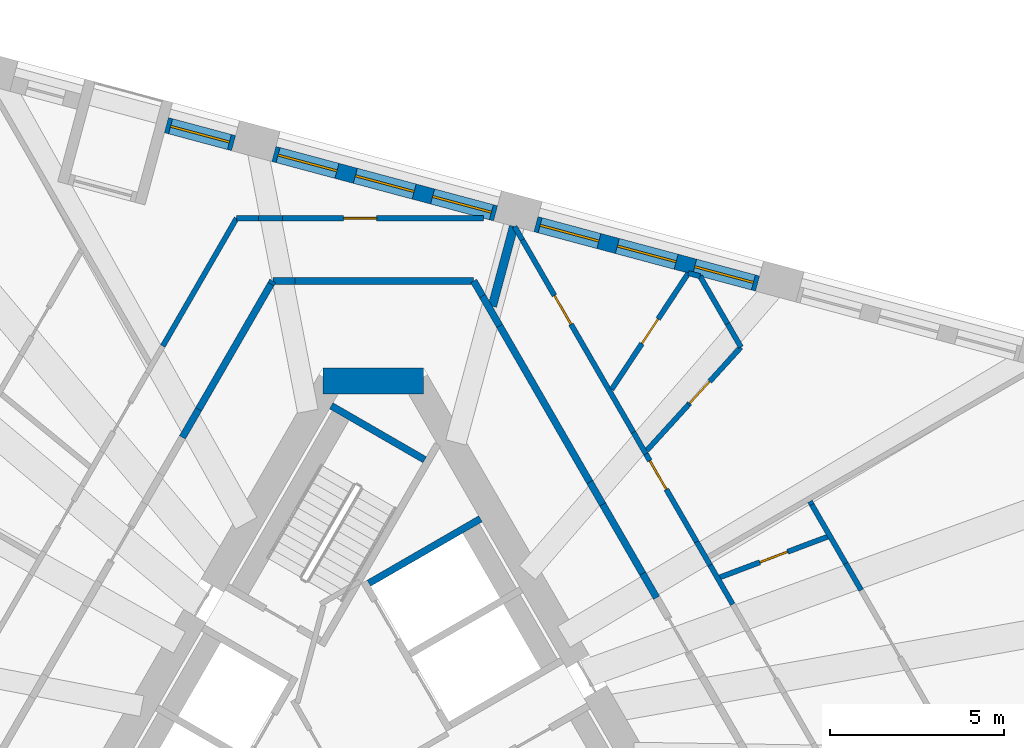
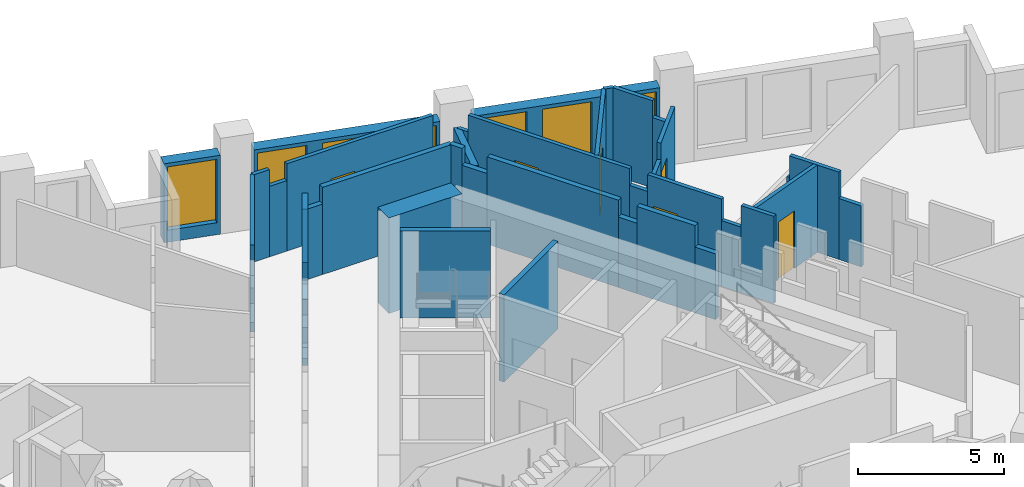
# One storey, part 8 of 13: 38 walls, 7 windows, 6 doors, 13 openings.
"""IFC4 building model written with IfcOpenShell, lengths in metres."""

import ifcopenshell
import ifcopenshell.guid

model = None  # the IFC model being written
_history = None  # IfcOwnerHistory: only IFC2X3 demands one
_inside = {}  # id of a spatial element -> (the spatial element, [elements in it])
_under = {}  # id of a project, library or spatial element -> (it, [spatial elements below it])
_declared = {}  # id of a project -> (the project, [libraries it declares])
_typed = {}  # id of a type object -> (the type object, [elements of that type])
_made_of = {}  # id of a material, layer set ... -> (it, [elements and type objects made of it])


def new_model(schema):
    """Start an empty IFC model of exactly this schema.

    Asked for "IFC4X3", IfcOpenShell would pick the latest addendum, in which some entities
    have other attributes; the version numbers below select the first issue.
    IFC2X3 requires an IfcOwnerHistory on every rooted entity: one is made here for all.
    """
    global model, _history
    if schema == "IFC4X3":
        model = ifcopenshell.file(schema_version=(4, 3, 0, 0))
    else:
        model = ifcopenshell.file(schema=schema)
    _inside.clear()
    _under.clear()
    _declared.clear()
    _typed.clear()
    _made_of.clear()
    _history = None
    if model.schema == "IFC2X3":
        org = make("IfcOrganization", Name="unknown")
        user = make(
            "IfcPersonAndOrganization",
            ThePerson=make("IfcPerson", FamilyName="unknown"),
            TheOrganization=org,
        )
        app = make(
            "IfcApplication",
            ApplicationDeveloper=org,
            Version="unknown",
            ApplicationFullName="unknown",
            ApplicationIdentifier="unknown",
        )
        _history = make(
            "IfcOwnerHistory",
            OwningUser=user,
            OwningApplication=app,
            ChangeAction="ADDED",
            CreationDate=0,
        )
    return model


def make(cls, **values):
    """One entity of the class cls with the attributes given. An attribute that is None is left unset."""
    return model.create_entity(
        cls, **{name: value for name, value in values.items() if value is not None}
    )


def rooted(cls, **values):
    """An entity with a GlobalId (a new one), such as an element, a storey or a relation."""
    return make(cls, GlobalId=ifcopenshell.guid.new(), OwnerHistory=_history, **values)


def si_unit(unit_type, name, prefix=None):
    """IfcSIUnit, for example si_unit("LENGTHUNIT", "METRE", prefix="MILLI")."""
    return make("IfcSIUnit", UnitType=unit_type, Prefix=prefix, Name=name)


def assignment(units):
    """IfcUnitAssignment: the units of a project."""
    return None if units is None else make("IfcUnitAssignment", Units=units)


def point(xyz):
    """IfcCartesianPoint."""
    return None if xyz is None else make("IfcCartesianPoint", Coordinates=xyz)


def direction(xyz):
    """IfcDirection."""
    return None if xyz is None else make("IfcDirection", DirectionRatios=xyz)


def frame(location, z_axis=None, x_axis=None):
    """IfcAxis2Placement3D, a coordinate frame: its origin and axes. An axis left out is left unset."""
    return make(
        "IfcAxis2Placement3D",
        Location=point(location),
        Axis=direction(z_axis),
        RefDirection=direction(x_axis),
    )


def frame_2d(location, x_axis=None):
    """IfcAxis2Placement2D, a coordinate frame in the plane: its origin and x axis."""
    return make(
        "IfcAxis2Placement2D", Location=point(location), RefDirection=direction(x_axis)
    )


def origin():
    """The frame at (0, 0, 0) with its axes left unset."""
    return frame((0.0, 0.0, 0.0))


def place(relative_to, where):
    """IfcLocalPlacement: puts the frame where relative to a parent placement (None: the world)."""
    return make(
        "IfcLocalPlacement", PlacementRelTo=relative_to, RelativePlacement=where
    )


def context(
    kind, dimensions, precision=None, world=None, true_north=None, identifier=None
):
    """IfcGeometricRepresentationContext, for example the 3D "Model" context."""
    return make(
        "IfcGeometricRepresentationContext",
        ContextIdentifier=identifier,
        ContextType=kind,
        CoordinateSpaceDimension=dimensions,
        Precision=precision,
        WorldCoordinateSystem=world,
        TrueNorth=true_north,
    )


def subcontext(parent, identifier, kind, view, scale=None):
    """IfcGeometricRepresentationSubContext, for example "Body" below "Model"."""
    return make(
        "IfcGeometricRepresentationSubContext",
        ContextIdentifier=identifier,
        ContextType=kind,
        ParentContext=parent,
        TargetScale=scale,
        TargetView=view,
    )


def project(units=None, contexts=None):
    """IfcProject with its units and contexts."""
    return rooted(
        "IfcProject",
        Name="project",
        RepresentationContexts=contexts,
        UnitsInContext=assignment(units),
    )


def spatial(cls, under=None, at=None, **own):
    """A site, building, storey or space (cls), placed at a placement, below another one or the project."""
    s = rooted(cls, ObjectPlacement=at, **own)
    if under is not None:
        _under.setdefault(under.id(), (under, []))[1].append(s)
    return s


def profile(cls, at=None, kind="AREA", **sizes):
    """A parametric profile (cls). Its sizes go by their IFC names, for example OverallWidth=200.0."""
    return make(cls, ProfileType=kind, Position=at, **sizes)


def rectangle(**sizes):
    """IfcRectangleProfileDef."""
    return profile("IfcRectangleProfileDef", **sizes)


def extrude(swept, where, along, depth):
    """IfcExtrudedAreaSolid: the profile swept, set in the frame where, extruded along a direction by depth."""
    return make(
        "IfcExtrudedAreaSolid",
        SweptArea=swept,
        Position=where,
        ExtrudedDirection=direction(along),
        Depth=depth,
    )


def shape(context_of_items, identifier, shape_type, items):
    """IfcShapeRepresentation: the items that make up one representation, for example the "Body"."""
    return make(
        "IfcShapeRepresentation",
        ContextOfItems=context_of_items,
        RepresentationIdentifier=identifier,
        RepresentationType=shape_type,
        Items=items,
    )


def material(Name=None, Category=None):
    """IfcMaterial."""
    return make("IfcMaterial", Name=Name, Category=Category)


def layer(
    of_material, thickness, ventilated=None, Name=None, Category=None, Priority=None
):
    """IfcMaterialLayer: one layer of a wall or slab, of a material (None: an air gap)."""
    return make(
        "IfcMaterialLayer",
        Material=of_material,
        LayerThickness=thickness,
        IsVentilated=ventilated,
        Name=Name,
        Category=Category,
        Priority=Priority,
    )


def layer_set(layers, Name=None):
    """IfcMaterialLayerSet."""
    return make("IfcMaterialLayerSet", MaterialLayers=layers, LayerSetName=Name)


def made_of(thing, what):
    """Note that an element or type object is made of a material, layer set ...; save() writes the relation."""
    if what is not None:
        _made_of.setdefault(what.id(), (what, []))[1].append(thing)
    return thing


def type_object(cls, material=None, **own):
    """A type object (cls), such as IfcWallType, which elements share."""
    return made_of(rooted(cls, **own), material)


def element(
    cls,
    number,
    at=None,
    inside=None,
    cuts=None,
    type_object=None,
    material=None,
    context=None,
    identifier="Body",
    shape_type=None,
    held_by="IfcProductDefinitionShape",
    body=None,
    shapes=None,
    **own,
):
    """One element of the class cls, such as IfcWall. Its Tag is "e" and its number.

    at: its placement. inside: the storey or other place that contains it. cuts: it is an
    opening in that element (IfcRelVoidsElement). A single representation is given by context,
    identifier, shape_type and body (its items); several are given by shapes. held_by: the class
    of the entity that holds the representations. save() writes the other relations.
    """
    e = rooted(cls, Tag="e%d" % number, ObjectPlacement=at, **own)
    if body is not None:
        shapes = [shape(context, identifier, shape_type, body)]
    if shapes is not None:
        e.Representation = make(held_by, Representations=shapes)
    if inside is not None:
        _inside.setdefault(inside.id(), (inside, []))[1].append(e)
    if cuts is not None:
        rooted(
            "IfcRelVoidsElement", RelatingBuildingElement=cuts, RelatedOpeningElement=e
        )
    if type_object is not None:
        _typed.setdefault(type_object.id(), (type_object, []))[1].append(e)
    return made_of(e, material)


def fill(opening, filler):
    """IfcRelFillsElement: the door or window that sits in an opening."""
    return rooted(
        "IfcRelFillsElement",
        RelatingOpeningElement=opening,
        RelatedBuildingElement=filler,
    )


def aggregate(whole, parts):
    """IfcRelAggregates: a whole, such as a stair, and the parts it consists of."""
    return rooted("IfcRelAggregates", RelatingObject=whole, RelatedObjects=parts)


def save(model, path):
    """Write the relations noted so far, then the file.

    IfcRelAggregates (storeys below a building ...), IfcRelContainedInSpatialStructure (elements
    in a storey), IfcRelDefinesByType, IfcRelAssociatesMaterial and IfcRelDeclares: one each for
    every whole, place, type object, material and project.
    """
    for whole, parts in _under.values():
        aggregate(whole, parts)
    for where, things in _inside.values():
        rooted(
            "IfcRelContainedInSpatialStructure",
            RelatedElements=things,
            RelatingStructure=where,
        )
    for kind, things in _typed.values():
        rooted("IfcRelDefinesByType", RelatedObjects=things, RelatingType=kind)
    for what, things in _made_of.values():
        rooted("IfcRelAssociatesMaterial", RelatedObjects=things, RelatingMaterial=what)
    for by, libraries in _declared.values():
        rooted("IfcRelDeclares", RelatingContext=by, RelatedDefinitions=libraries)
    model.write(path)


model = new_model("IFC4")

# Units and contexts
model_context = context("Model", 3, precision=1e-05, world=origin(), true_north=direction((0.0, 1.0)))
body_context = subcontext(model_context, "Body", "Model", "MODEL_VIEW")
ifc_project = project(units=[si_unit("LENGTHUNIT", "METRE"), si_unit("AREAUNIT", "SQUARE_METRE"), si_unit("VOLUMEUNIT", "CUBIC_METRE"), si_unit("PLANEANGLEUNIT", "RADIAN"), si_unit("MASSUNIT", "GRAM", prefix="KILO")], contexts=[model_context])

# Site, building, storey
site_placement = place(None, origin())
site = spatial("IfcSite", under=ifc_project, at=site_placement, CompositionType="ELEMENT")
building_placement = place(site_placement, origin())
building = spatial("IfcBuilding", under=site, at=building_placement, Name="Tramontana Tower", CompositionType="ELEMENT")
storey_placement = place(building_placement, frame((0.0, 0.0, 208.0)))
storey = spatial("IfcBuildingStorey", under=building, at=storey_placement, Name="L48", CompositionType="ELEMENT", Elevation=208.0)

# Walls
ifc_material_1 = material(Name="Concrete 70 MPa", Category="concrete")
ifc_layer_1 = layer(ifc_material_1, 0.75)
ifc_layer_set_1 = layer_set([ifc_layer_1], Name="Core wall 750 70 MPa")
wall_type_1 = type_object("IfcWallType", Name="Core wall 750 70 MPa", PredefinedType="SHEAR", material=ifc_layer_set_1)
wall_1_placement = place(storey_placement, frame((1.443359375, 10.625, 0.0), z_axis=(0.0, 0.0, 1.0), x_axis=(-1.0, 0.0, 0.0)))
element("IfcWall", 1, at=wall_1_placement, inside=storey, type_object=wall_type_1, Name="Core wall C0 L48", PredefinedType="SHEAR", context=body_context, shape_type="SweptSolid", body=[
    extrude(rectangle(XDim=2.88671875, YDim=0.75, at=frame_2d((1.443359375, 0.0))), origin(), (0.0, 0.0, 1.0), 4.0),
])
ifc_material_2 = material(Name="Blockwork", Category="masonry")
ifc_layer_2 = layer(ifc_material_2, 0.199951171875)
ifc_layer_set_2 = layer_set([ifc_layer_2], Name="ENTRY WALL 200")
wall_type_2 = type_object("IfcWallType", Name="ENTRY WALL 200", PredefinedType="SOLIDWALL", material=ifc_layer_set_2)
wall_2_placement = place(storey_placement, frame((2.88671875, 13.5, 0.0), z_axis=(0.0, 0.0, 1.0), x_axis=(0.500002592159, -0.866023907196, 0.0)))
element("IfcWall", 2, at=wall_2_placement, inside=storey, type_object=wall_type_2, Name="Wall v50-ew0-0", PredefinedType="SOLIDWALL", context=body_context, shape_type="SweptSolid", body=[
    extrude(rectangle(XDim=0.5029296875, YDim=0.199951171875, at=frame_2d((0.25146484375, 0.0))), origin(), (0.0, 0.0, 1.0), 3.64990234375),
])
wall_3_placement = place(storey_placement, frame((3.13818359375, 13.064453125, 0.0), z_axis=(0.0, 0.0, 1.0), x_axis=(0.500063959222, -0.865988473761, 0.0)))
element("IfcWall", 3, at=wall_3_placement, inside=storey, type_object=wall_type_2, Name="Wall v50-ew0-1", PredefinedType="SOLIDWALL", context=body_context, shape_type="SweptSolid", body=[
    extrude(rectangle(XDim=0.989990234375, YDim=0.199951171875, at=frame_2d((0.4951171875, 0.0))), origin(), (0.0, 0.0, 1.0), 2.949951171875),
])
wall_4_placement = place(storey_placement, frame((3.63330078125, 12.20703125, 0.0), z_axis=(0.0, 0.0, 1.0), x_axis=(0.499990271856, -0.866031020258, 0.0)))
element("IfcWall", 4, at=wall_4_placement, inside=storey, type_object=wall_type_2, Name="Wall v50-ew0-2", PredefinedType="SOLIDWALL", context=body_context, shape_type="SweptSolid", body=[
    extrude(rectangle(XDim=5.181640625, YDim=0.199951171875, at=frame_2d((2.5908203125, 0.0))), origin(), (0.0, 0.0, 1.0), 3.64990234375),
])
wall_5_placement = place(storey_placement, frame((6.22412109375, 7.719482421875, 0.0), z_axis=(0.0, 0.0, 1.0), x_axis=(0.499931655587, -0.866064858854, 0.0)))
element("IfcWall", 5, at=wall_5_placement, inside=storey, type_object=wall_type_2, Name="Wall v50-ew0-3", PredefinedType="SOLIDWALL", context=body_context, shape_type="SweptSolid", body=[
    extrude(rectangle(XDim=0.74072265625, YDim=0.199951171875, at=frame_2d((0.370361328125, 0.0))), origin(), (0.0, 0.0, 1.0), 2.949951171875),
])
wall_6_placement = place(storey_placement, frame((6.594482421875, 7.077880859375, 0.0), z_axis=(0.0, 0.0, 1.0), x_axis=(0.500013761451, -0.866017458461, 0.0)))
element("IfcWall", 6, at=wall_6_placement, inside=storey, type_object=wall_type_2, Name="Wall v50-ew0-4", PredefinedType="SOLIDWALL", context=body_context, shape_type="SweptSolid", body=[
    extrude(rectangle(XDim=2.29736328125, YDim=0.199951171875, at=frame_2d((1.148681640625, 0.0))), origin(), (0.0, 0.0, 1.0), 3.64990234375),
])
wall_7_placement = place(storey_placement, frame((7.7431640625, 5.08837890625, 0.0), z_axis=(0.0, 0.0, 1.0), x_axis=(0.500109828528, -0.865961984968, 0.0)))
element("IfcWall", 7, at=wall_7_placement, inside=storey, type_object=wall_type_2, Name="Wall v50-ew0-5", PredefinedType="SOLIDWALL", context=body_context, shape_type="SweptSolid", body=[
    extrude(rectangle(XDim=0.800048828125, YDim=0.199951171875, at=frame_2d((0.39990234375, 0.0))), origin(), (0.0, 0.0, 1.0), 2.75),
])
wall_8_placement = place(storey_placement, frame((-5.482666015625, 9.003662109375, 0.0), z_axis=(0.0, 0.0, 1.0), x_axis=(0.499971966783, 0.866041588165, 0.0)))
element("IfcWall", 8, at=wall_8_placement, inside=storey, type_object=wall_type_2, Name="Wall v50-ew4-11", PredefinedType="SOLIDWALL", context=body_context, shape_type="SweptSolid", body=[
    extrude(rectangle(XDim=0.931640625, YDim=0.199951171875, at=frame_2d((0.4658203125, 0.0))), origin(), (0.0, 0.0, 1.0), 2.75),
])
wall_9_placement = place(storey_placement, frame((-5.016845703125, 9.810546875, 0.0), z_axis=(0.0, 0.0, 1.0), x_axis=(0.499993700073, 0.866029041019, 0.0)))
element("IfcWall", 9, at=wall_9_placement, inside=storey, type_object=wall_type_2, Name="Wall v50-ew4-12", PredefinedType="SOLIDWALL", context=body_context, shape_type="SweptSolid", body=[
    extrude(rectangle(XDim=4.1552734375, YDim=0.199951171875, at=frame_2d((2.07763671875, 0.0))), origin(), (0.0, 0.0, 1.0), 3.64990234375),
])
wall_10_placement = place(storey_placement, frame((-2.939208984375, 13.4091796875, 0.0), z_axis=(0.0, 0.0, 1.0), x_axis=(0.500393920955, 0.865797853931, 0.0)))
element("IfcWall", 10, at=wall_10_placement, inside=storey, type_object=wall_type_2, Name="Wall v50-ew4-13", PredefinedType="SOLIDWALL", context=body_context, shape_type="SweptSolid", body=[
    extrude(rectangle(XDim=0.10498046875, YDim=0.199951171875, at=frame_2d((0.052490234375, 0.0))), origin(), (0.0, 0.0, 1.0), 2.949951171875),
])
wall_11_placement = place(storey_placement, frame((-2.88671875, 13.5, 0.0), z_axis=(0.0, 0.0, 1.0), x_axis=(1.0, 0.0, 0.0)))
element("IfcWall", 11, at=wall_11_placement, inside=storey, type_object=wall_type_2, Name="Wall v50-ew5-0", PredefinedType="SOLIDWALL", context=body_context, shape_type="SweptSolid", body=[
    extrude(rectangle(XDim=0.642822265625, YDim=0.199951171875, at=frame_2d((0.3212890625, 0.0))), origin(), (0.0, 0.0, 1.0), 2.949951171875),
])
wall_12_placement = place(storey_placement, frame((-2.243896484375, 13.5, 0.0), z_axis=(0.0, 0.0, 1.0), x_axis=(1.0, 0.0, 0.0)))
element("IfcWall", 12, at=wall_12_placement, inside=storey, type_object=wall_type_2, Name="Wall v50-ew5-1", PredefinedType="SOLIDWALL", context=body_context, shape_type="SweptSolid", body=[
    extrude(rectangle(XDim=5.130615234375, YDim=0.199951171875, at=frame_2d((2.5654296875, 0.0))), origin(), (0.0, 0.0, 1.0), 3.64990234375),
])

# Wall, openings, windows
ifc_material_3 = material(Name="Precast concrete 60 MPa", Category="concrete")
ifc_layer_3 = layer(ifc_material_3, 0.449951171875)
ifc_layer_set_3 = layer_set([ifc_layer_3], Name="Precast concrete 60 MPa, 450 mm")
wall_type_3 = type_object("IfcWallType", Name="EW1 Stone-faced precast wall 450", PredefinedType="SOLIDWALL", material=ifc_layer_set_3)
wall_13_placement = place(storey_placement, frame((11.044921875, 13.423828125, 0.0), z_axis=(0.0, 0.0, 1.0), x_axis=(-0.965933178973, 0.258791602952, 0.0)))
wall_13 = element("IfcWall", 13, at=wall_13_placement, inside=storey, type_object=wall_type_3, Name="External wall L48 face 2 bay 3", PredefinedType="SOLIDWALL", context=body_context, shape_type="SweptSolid", body=[
    extrude(rectangle(XDim=6.59423828125, YDim=0.449951171875, at=frame_2d((3.297119140625, 0.0))), origin(), (0.0, 0.0, 1.0), 3.300048828125),
])
opening_1_placement = place(wall_13_placement, frame((0.1240234375, 0.0, 0.5)))
opening_1 = element("IfcOpeningElement", 14, at=opening_1_placement, cuts=wall_13, Name="Opening M2", PredefinedType="OPENING", context=body_context, shape_type="SweptSolid", body=[
    extrude(rectangle(XDim=1.75, YDim=2.64990234375, at=frame_2d((0.875, 1.324951171875))), frame((0.0, 0.23486328125, 0.0), z_axis=(0.0, -1.0, 0.0), x_axis=(1.0, 0.0, 0.0)), (0.0, 0.0, 1.0), 0.469970703125),
])
opening_2_placement = place(wall_13_placement, frame((2.422119140625, 0.0, 0.5)))
opening_2 = element("IfcOpeningElement", 15, at=opening_2_placement, cuts=wall_13, Name="Opening M2", PredefinedType="OPENING", context=body_context, shape_type="SweptSolid", body=[
    extrude(rectangle(XDim=1.75, YDim=2.64990234375, at=frame_2d((0.875, 1.324951171875))), frame((0.0, 0.23486328125, 0.0), z_axis=(0.0, -1.0, 0.0), x_axis=(1.0, 0.0, 0.0)), (0.0, 0.0, 1.0), 0.469970703125),
])
opening_3_placement = place(wall_13_placement, frame((4.72021484375, 0.0, 0.5)))
opening_3 = element("IfcOpeningElement", 16, at=opening_3_placement, cuts=wall_13, Name="Opening M2", PredefinedType="OPENING", context=body_context, shape_type="SweptSolid", body=[
    extrude(rectangle(XDim=1.75, YDim=2.64990234375, at=frame_2d((0.875, 1.324951171875))), frame((0.0, 0.23486328125, 0.0), z_axis=(0.0, -1.0, 0.0), x_axis=(1.0, 0.0, 0.0)), (0.0, 0.0, 1.0), 0.469970703125),
])
ifc_material_4 = material(Name="Aluminum frame, double glazing unit", Category="aluminium")
window_type = type_object("IfcWindowType", Name="M2 Window 1.75 x 2.65", PartitioningType="SINGLE_PANEL", PredefinedType="WINDOW", material=ifc_material_4)
window_1_placement = place(opening_1_placement, origin())
window_1 = element("IfcWindow", 17, at=window_1_placement, inside=storey, type_object=window_type, Name="Window M2 L48 face 2 module 7", OverallHeight=2.64990234375, OverallWidth=1.75, PartitioningType="SINGLE_PANEL", PredefinedType="WINDOW", context=body_context, shape_type="SweptSolid", body=[
    extrude(rectangle(XDim=1.75, YDim=2.64990234375, at=frame_2d((0.875, 1.324951171875))), frame((0.0, 0.030029296875, 0.0), z_axis=(0.0, -1.0, 0.0), x_axis=(1.0, 0.0, 0.0)), (0.0, 0.0, 1.0), 0.06005859375),
])
fill(opening_1, window_1)
window_2_placement = place(opening_2_placement, origin())
window_2 = element("IfcWindow", 18, at=window_2_placement, inside=storey, type_object=window_type, Name="Window M2 L48 face 2 module 8", OverallHeight=2.64990234375, OverallWidth=1.75, PartitioningType="SINGLE_PANEL", PredefinedType="WINDOW", context=body_context, shape_type="SweptSolid", body=[
    extrude(rectangle(XDim=1.75, YDim=2.64990234375, at=frame_2d((0.875, 1.324951171875))), frame((0.0, 0.030029296875, 0.0), z_axis=(0.0, -1.0, 0.0), x_axis=(1.0, 0.0, 0.0)), (0.0, 0.0, 1.0), 0.06005859375),
])
fill(opening_2, window_2)
window_3_placement = place(opening_3_placement, origin())
window_3 = element("IfcWindow", 19, at=window_3_placement, inside=storey, type_object=window_type, Name="Window M2 L48 face 2 module 9", OverallHeight=2.64990234375, OverallWidth=1.75, PartitioningType="SINGLE_PANEL", PredefinedType="WINDOW", context=body_context, shape_type="SweptSolid", body=[
    extrude(rectangle(XDim=1.75, YDim=2.64990234375, at=frame_2d((0.875, 1.324951171875))), frame((0.0, 0.030029296875, 0.0), z_axis=(0.0, -1.0, 0.0), x_axis=(1.0, 0.0, 0.0)), (0.0, 0.0, 1.0), 0.06005859375),
])
fill(opening_3, window_3)

wall_14_placement = place(storey_placement, frame((3.516357421875, 15.441162109375, 0.0), z_axis=(0.0, 0.0, 1.0), x_axis=(-0.965933178973, 0.258791602952, 0.0)))
wall_14 = element("IfcWall", 20, at=wall_14_placement, inside=storey, type_object=wall_type_3, Name="External wall L48 face 2 bay 4", PredefinedType="SOLIDWALL", context=body_context, shape_type="SweptSolid", body=[
    extrude(rectangle(XDim=6.59423828125, YDim=0.449951171875, at=frame_2d((3.297119140625, 0.0))), origin(), (0.0, 0.0, 1.0), 3.300048828125),
])
opening_4_placement = place(wall_14_placement, frame((0.1240234375, 0.0, 0.5)))
opening_4 = element("IfcOpeningElement", 21, at=opening_4_placement, cuts=wall_14, Name="Opening M2", PredefinedType="OPENING", context=body_context, shape_type="SweptSolid", body=[
    extrude(rectangle(XDim=1.75, YDim=2.64990234375, at=frame_2d((0.875, 1.324951171875))), frame((0.0, 0.23486328125, 0.0), z_axis=(0.0, -1.0, 0.0), x_axis=(1.0, 0.0, 0.0)), (0.0, 0.0, 1.0), 0.469970703125),
])
opening_5_placement = place(wall_14_placement, frame((2.422119140625, 0.0, 0.5)))
opening_5 = element("IfcOpeningElement", 22, at=opening_5_placement, cuts=wall_14, Name="Opening M2", PredefinedType="OPENING", context=body_context, shape_type="SweptSolid", body=[
    extrude(rectangle(XDim=1.75, YDim=2.64990234375, at=frame_2d((0.875, 1.324951171875))), frame((0.0, 0.23486328125, 0.0), z_axis=(0.0, -1.0, 0.0), x_axis=(1.0, 0.0, 0.0)), (0.0, 0.0, 1.0), 0.469970703125),
])
opening_6_placement = place(wall_14_placement, frame((4.72021484375, 0.0, 0.5)))
opening_6 = element("IfcOpeningElement", 23, at=opening_6_placement, cuts=wall_14, Name="Opening M2", PredefinedType="OPENING", context=body_context, shape_type="SweptSolid", body=[
    extrude(rectangle(XDim=1.75, YDim=2.64990234375, at=frame_2d((0.875, 1.324951171875))), frame((0.0, 0.23486328125, 0.0), z_axis=(0.0, -1.0, 0.0), x_axis=(1.0, 0.0, 0.0)), (0.0, 0.0, 1.0), 0.469970703125),
])
window_4_placement = place(opening_4_placement, origin())
window_4 = element("IfcWindow", 24, at=window_4_placement, inside=storey, type_object=window_type, Name="Window M2 L48 face 2 module 10", OverallHeight=2.64990234375, OverallWidth=1.75, PartitioningType="SINGLE_PANEL", PredefinedType="WINDOW", context=body_context, shape_type="SweptSolid", body=[
    extrude(rectangle(XDim=1.75, YDim=2.64990234375, at=frame_2d((0.875, 1.324951171875))), frame((0.0, 0.030029296875, 0.0), z_axis=(0.0, -1.0, 0.0), x_axis=(1.0, 0.0, 0.0)), (0.0, 0.0, 1.0), 0.06005859375),
])
fill(opening_4, window_4)
window_5_placement = place(opening_5_placement, origin())
window_5 = element("IfcWindow", 25, at=window_5_placement, inside=storey, type_object=window_type, Name="Window M2 L48 face 2 module 11", OverallHeight=2.64990234375, OverallWidth=1.75, PartitioningType="SINGLE_PANEL", PredefinedType="WINDOW", context=body_context, shape_type="SweptSolid", body=[
    extrude(rectangle(XDim=1.75, YDim=2.64990234375, at=frame_2d((0.875, 1.324951171875))), frame((0.0, 0.030029296875, 0.0), z_axis=(0.0, -1.0, 0.0), x_axis=(1.0, 0.0, 0.0)), (0.0, 0.0, 1.0), 0.06005859375),
])
fill(opening_5, window_5)
window_6_placement = place(opening_6_placement, origin())
window_6 = element("IfcWindow", 26, at=window_6_placement, inside=storey, type_object=window_type, Name="Window M2 L48 face 2 module 12", OverallHeight=2.64990234375, OverallWidth=1.75, PartitioningType="SINGLE_PANEL", PredefinedType="WINDOW", context=body_context, shape_type="SweptSolid", body=[
    extrude(rectangle(XDim=1.75, YDim=2.64990234375, at=frame_2d((0.875, 1.324951171875))), frame((0.0, 0.030029296875, 0.0), z_axis=(0.0, -1.0, 0.0), x_axis=(1.0, 0.0, 0.0)), (0.0, 0.0, 1.0), 0.06005859375),
])
fill(opening_6, window_6)

# Wall, opening, window
wall_15_placement = place(storey_placement, frame((-4.012451171875, 17.458251953125, 0.0), z_axis=(0.0, 0.0, 1.0), x_axis=(-0.965899500874, 0.25891727291, 0.0)))
wall_15 = element("IfcWall", 27, at=wall_15_placement, inside=storey, type_object=wall_type_3, Name="External wall L48 face 2 bay 5", PredefinedType="SOLIDWALL", context=body_context, shape_type="SweptSolid", body=[
    extrude(rectangle(XDim=1.998046875, YDim=0.449951171875, at=frame_2d((0.9990234375, 0.0))), origin(), (0.0, 0.0, 1.0), 3.300048828125),
])
opening_7_placement = place(wall_15_placement, frame((0.1240234375, 0.0, 0.5)))
opening_7 = element("IfcOpeningElement", 28, at=opening_7_placement, cuts=wall_15, Name="Opening M2", PredefinedType="OPENING", context=body_context, shape_type="SweptSolid", body=[
    extrude(rectangle(XDim=1.75, YDim=2.64990234375, at=frame_2d((0.875, 1.324951171875))), frame((0.0, 0.23486328125, 0.0), z_axis=(0.0, -1.0, 0.0), x_axis=(1.0, 0.0, 0.0)), (0.0, 0.0, 1.0), 0.469970703125),
])
window_7_placement = place(opening_7_placement, origin())
window_7 = element("IfcWindow", 29, at=window_7_placement, inside=storey, type_object=window_type, Name="Window M2 L48 face 2 module 13", OverallHeight=2.64990234375, OverallWidth=1.75, PartitioningType="SINGLE_PANEL", PredefinedType="WINDOW", context=body_context, shape_type="SweptSolid", body=[
    extrude(rectangle(XDim=1.75, YDim=2.64990234375, at=frame_2d((0.875, 1.324951171875))), frame((0.0, 0.030029296875, 0.0), z_axis=(0.0, -1.0, 0.0), x_axis=(1.0, 0.0, 0.0)), (0.0, 0.0, 1.0), 0.06005859375),
])
fill(opening_7, window_7)

# Walls
ifc_material_5 = material(Name="Gypsum board partition")
ifc_layer_4 = layer(ifc_material_5, 0.14990234375)
ifc_layer_set_4 = layer_set([ifc_layer_4], Name="PARTITION 150")
wall_type_4 = type_object("IfcWallType", Name="PARTITION 150", PredefinedType="PARTITIONING", material=ifc_layer_set_4)
wall_16_placement = place(storey_placement, frame((-6.045654296875, 11.628662109375, 0.0), z_axis=(0.0, 0.0, 1.0), x_axis=(0.499991648869, 0.866030225258, 0.0)))
element("IfcWall", 30, at=wall_16_placement, inside=storey, type_object=wall_type_4, Name="Wall v50-pw00-11", PredefinedType="PARTITIONING", context=body_context, shape_type="SweptSolid", body=[
    extrude(rectangle(XDim=4.2392578125, YDim=0.14990234375, at=frame_2d((2.11962890625, 0.0))), origin(), (0.0, 0.0, 1.0), 3.64990234375),
])
wall_17_placement = place(storey_placement, frame((-3.926025390625, 15.300048828125, 0.0), z_axis=(0.0, 0.0, 1.0), x_axis=(1.0, 0.0, 0.0)))
element("IfcWall", 31, at=wall_17_placement, inside=storey, type_object=wall_type_4, Name="Wall v50-pw08-0", PredefinedType="PARTITIONING", context=body_context, shape_type="SweptSolid", body=[
    extrude(rectangle(XDim=0.635498046875, YDim=0.14990234375, at=frame_2d((0.31787109375, 0.0))), origin(), (0.0, 0.0, 1.0), 3.64990234375),
])
wall_18_placement = place(storey_placement, frame((-3.29052734375, 15.300048828125, 0.0), z_axis=(0.0, 0.0, 1.0), x_axis=(1.0, 0.0, 0.0)))
element("IfcWall", 32, at=wall_18_placement, inside=storey, type_object=wall_type_4, Name="Wall v50-pw08-1", PredefinedType="PARTITIONING", context=body_context, shape_type="SweptSolid", body=[
    extrude(rectangle(XDim=0.687255859375, YDim=0.14990234375, at=frame_2d((0.34375, 0.0))), origin(), (0.0, 0.0, 1.0), 2.949951171875),
])

# Wall, opening, door
wall_19_placement = place(storey_placement, frame((3.17333984375, 15.300048828125, 0.0), z_axis=(0.0, 0.0, 1.0), x_axis=(-1.0, 0.0, 0.0)))
wall_19 = element("IfcWall", 33, at=wall_19_placement, inside=storey, type_object=wall_type_4, Name="Wall v50-pw08-2", PredefinedType="PARTITIONING", context=body_context, shape_type="SweptSolid", body=[
    extrude(rectangle(XDim=5.776611328125, YDim=0.14990234375, at=frame_2d((2.88818359375, 0.0))), origin(), (0.0, 0.0, 1.0), 3.64990234375),
])
opening_8_placement = place(wall_19_placement, frame((3.07470703125, 0.0, 0.0)))
opening_8 = element("IfcOpeningElement", 34, at=opening_8_placement, cuts=wall_19, Name="Opening B5A-03", PredefinedType="OPENING", context=body_context, shape_type="SweptSolid", body=[
    extrude(rectangle(XDim=0.949951171875, YDim=2.39990234375, at=frame_2d((0.47509765625, 1.199951171875))), frame((0.0, 0.0849609375, 0.0), z_axis=(0.0, -1.0, 0.0), x_axis=(1.0, 0.0, 0.0)), (0.0, 0.0, 1.0), 0.169921875),
])
ifc_material_6 = material(Name="Painted timber", Category="wood")
door_type_1 = type_object("IfcDoorType", Name="DOOR ROOM 950", OperationType="SINGLE_SWING_LEFT", PredefinedType="DOOR", material=ifc_material_6)
door_1_placement = place(opening_8_placement, origin())
door_1 = element("IfcDoor", 35, at=door_1_placement, inside=storey, type_object=door_type_1, Name="Door B5A-03", OperationType="SINGLE_SWING_LEFT", OverallHeight=2.39990234375, OverallWidth=0.949951171875, PredefinedType="DOOR", context=body_context, shape_type="SweptSolid", body=[
    extrude(rectangle(XDim=0.949951171875, YDim=2.39990234375, at=frame_2d((0.47509765625, 1.199951171875))), frame((0.0, 0.02490234375, 0.0), z_axis=(0.0, -1.0, 0.0), x_axis=(1.0, 0.0, 0.0)), (0.0, 0.0, 1.0), 0.050048828125),
])
fill(opening_8, door_1)

# Wall
wall_20_placement = place(storey_placement, frame((4.063720703125, 15.0615234375, 0.0), z_axis=(0.0, 0.0, 1.0), x_axis=(0.499786622332, -0.866148562395, 0.0)))
element("IfcWall", 36, at=wall_20_placement, inside=storey, type_object=wall_type_4, Name="Wall v50-pw13-0", PredefinedType="PARTITIONING", context=body_context, shape_type="SweptSolid", body=[
    extrude(rectangle(XDim=0.439208984375, YDim=0.14990234375, at=frame_2d((0.2197265625, 0.0))), origin(), (0.0, 0.0, 1.0), 2.949951171875),
])

# Wall, opening, door
wall_21_placement = place(storey_placement, frame((4.283203125, 14.68115234375, 0.0), z_axis=(0.0, 0.0, 1.0), x_axis=(0.500010206181, -0.866019511163, 0.0)))
wall_21 = element("IfcWall", 37, at=wall_21_placement, inside=storey, type_object=wall_type_4, Name="Wall v50-pw13-1", PredefinedType="PARTITIONING", context=body_context, shape_type="SweptSolid", body=[
    extrude(rectangle(XDim=6.389404296875, YDim=0.14990234375, at=frame_2d((3.19482421875, 0.0))), origin(), (0.0, 0.0, 1.0), 3.64990234375),
])
opening_9_placement = place(wall_21_placement, frame((1.849365234375, 0.0, 0.0)))
opening_9 = element("IfcOpeningElement", 38, at=opening_9_placement, cuts=wall_21, Name="Opening B5A-14", PredefinedType="OPENING", context=body_context, shape_type="SweptSolid", body=[
    extrude(rectangle(XDim=0.949951171875, YDim=2.39990234375, at=frame_2d((0.47509765625, 1.199951171875))), frame((0.0, 0.0849609375, 0.0), z_axis=(0.0, -1.0, 0.0), x_axis=(1.0, 0.0, 0.0)), (0.0, 0.0, 1.0), 0.169921875),
])
door_2_placement = place(opening_9_placement, origin())
door_2 = element("IfcDoor", 39, at=door_2_placement, inside=storey, type_object=door_type_1, Name="Door B5A-14", OperationType="SINGLE_SWING_RIGHT", OverallHeight=2.39990234375, OverallWidth=0.949951171875, PredefinedType="DOOR", context=body_context, shape_type="SweptSolid", body=[
    extrude(rectangle(XDim=0.949951171875, YDim=2.39990234375, at=frame_2d((0.47509765625, 1.199951171875))), frame((0.0, 0.02490234375, 0.0), z_axis=(0.0, -1.0, 0.0), x_axis=(1.0, 0.0, 0.0)), (0.0, 0.0, 1.0), 0.050048828125),
])
fill(opening_9, door_2)

# Wall
wall_22_placement = place(storey_placement, frame((7.47802734375, 9.147705078125, 0.0), z_axis=(0.0, 0.0, 1.0), x_axis=(0.499998569178, -0.866026229868, 0.0)))
element("IfcWall", 40, at=wall_22_placement, inside=storey, type_object=wall_type_4, Name="Wall v50-pw13-2", PredefinedType="PARTITIONING", context=body_context, shape_type="SweptSolid", body=[
    extrude(rectangle(XDim=0.71435546875, YDim=0.14990234375, at=frame_2d((0.357177734375, 0.0))), origin(), (0.0, 0.0, 1.0), 2.949951171875),
])

# Wall, opening, door
wall_23_placement = place(storey_placement, frame((7.835205078125, 8.529052734375, 0.0), z_axis=(0.0, 0.0, 1.0), x_axis=(0.49998782916, -0.866032430508, 0.0)))
wall_23 = element("IfcWall", 41, at=wall_23_placement, inside=storey, type_object=wall_type_4, Name="Wall v50-pw13-3", PredefinedType="PARTITIONING", context=body_context, shape_type="SweptSolid", body=[
    extrude(rectangle(XDim=2.919921875, YDim=0.14990234375, at=frame_2d((1.4599609375, 0.0))), origin(), (0.0, 0.0, 1.0), 3.64990234375),
])
opening_10_placement = place(wall_23_placement, frame((0.227783203125, 0.0, 0.0)))
opening_10 = element("IfcOpeningElement", 42, at=opening_10_placement, cuts=wall_23, Name="Opening B5A-13", PredefinedType="OPENING", context=body_context, shape_type="SweptSolid", body=[
    extrude(rectangle(XDim=0.949951171875, YDim=2.39990234375, at=frame_2d((0.47509765625, 1.199951171875))), frame((0.0, 0.0849609375, 0.0), z_axis=(0.0, -1.0, 0.0), x_axis=(1.0, 0.0, 0.0)), (0.0, 0.0, 1.0), 0.169921875),
])
door_3_placement = place(opening_10_placement, origin())
door_3 = element("IfcDoor", 43, at=door_3_placement, inside=storey, type_object=door_type_1, Name="Door B5A-13", OperationType="SINGLE_SWING_LEFT", OverallHeight=2.39990234375, OverallWidth=0.949951171875, PredefinedType="DOOR", context=body_context, shape_type="SweptSolid", body=[
    extrude(rectangle(XDim=0.949951171875, YDim=2.39990234375, at=frame_2d((0.47509765625, 1.199951171875))), frame((0.0, 0.02490234375, 0.0), z_axis=(0.0, -1.0, 0.0), x_axis=(1.0, 0.0, 0.0)), (0.0, 0.0, 1.0), 0.050048828125),
])
fill(opening_10, door_3)

# Walls
wall_24_placement = place(storey_placement, frame((9.295166015625, 6.000244140625, 0.0), z_axis=(0.0, 0.0, 1.0), x_axis=(0.500204125617, -0.865907519724, 0.0)))
element("IfcWall", 44, at=wall_24_placement, inside=storey, type_object=wall_type_4, Name="Wall v50-pw13-4", PredefinedType="PARTITIONING", context=body_context, shape_type="SweptSolid", body=[
    extrude(rectangle(XDim=0.775146484375, YDim=0.14990234375, at=frame_2d((0.3876953125, 0.0))), origin(), (0.0, 0.0, 1.0), 2.75),
])
wall_25_placement = place(storey_placement, frame((9.682861328125, 5.3291015625, 0.0), z_axis=(0.0, 0.0, 1.0), x_axis=(0.499787711288, -0.866147934042, 0.0)))
element("IfcWall", 45, at=wall_25_placement, inside=storey, type_object=wall_type_4, Name="Wall v50-pw13-5", PredefinedType="PARTITIONING", context=body_context, shape_type="SweptSolid", body=[
    extrude(rectangle(XDim=1.29541015625, YDim=0.14990234375, at=frame_2d((0.647705078125, 0.0))), origin(), (0.0, 0.0, 1.0), 3.64990234375),
])

# Wall, opening, door
wall_26_placement = place(storey_placement, frame((9.056640625, 13.7236328125, 0.0), z_axis=(0.0, 0.0, 1.0), x_axis=(-0.550767438832, -0.834658749623, 0.0)))
wall_26 = element("IfcWall", 46, at=wall_26_placement, inside=storey, type_object=wall_type_4, Name="Wall v50-pw16", PredefinedType="PARTITIONING", context=body_context, shape_type="SweptSolid", body=[
    extrude(rectangle(XDim=4.003173828125, YDim=0.14990234375, at=frame_2d((2.00146484375, 0.0))), origin(), (0.0, 0.0, 1.0), 3.64990234375),
])
opening_11_placement = place(wall_26_placement, frame((1.57666015625, 0.0, 0.0)))
opening_11 = element("IfcOpeningElement", 47, at=opening_11_placement, cuts=wall_26, Name="Opening B5A-16", PredefinedType="OPENING", context=body_context, shape_type="SweptSolid", body=[
    extrude(rectangle(XDim=0.85009765625, YDim=2.39990234375, at=frame_2d((0.425048828125, 1.199951171875))), frame((0.0, 0.0849609375, 0.0), z_axis=(0.0, -1.0, 0.0), x_axis=(1.0, 0.0, 0.0)), (0.0, 0.0, 1.0), 0.169921875),
])
ifc_material_7 = material(Name="Painted timber", Category="wood")
door_type_2 = type_object("IfcDoorType", Name="DOOR BATH 850", OperationType="SINGLE_SWING_LEFT", PredefinedType="DOOR", material=ifc_material_7)
door_4_placement = place(opening_11_placement, origin())
door_4 = element("IfcDoor", 48, at=door_4_placement, inside=storey, type_object=door_type_2, Name="Door B5A-16", OperationType="SINGLE_SWING_RIGHT", OverallHeight=2.39990234375, OverallWidth=0.85009765625, PredefinedType="DOOR", context=body_context, shape_type="SweptSolid", body=[
    extrude(rectangle(XDim=0.85009765625, YDim=2.39990234375, at=frame_2d((0.425048828125, 1.199951171875))), frame((0.0, 0.02490234375, 0.0), z_axis=(0.0, -1.0, 0.0), x_axis=(1.0, 0.0, 0.0)), (0.0, 0.0, 1.0), 0.050048828125),
])
fill(opening_11, door_4)

# Walls
wall_27_placement = place(storey_placement, frame((9.056640625, 13.7236328125, 0.0), z_axis=(0.0, 0.0, 1.0), x_axis=(0.96594175785, -0.258759580387, 0.0)))
element("IfcWall", 49, at=wall_27_placement, inside=storey, type_object=wall_type_4, Name="Wall v50-pw18", PredefinedType="PARTITIONING", context=body_context, shape_type="SweptSolid", body=[
    extrude(rectangle(XDim=0.34619140625, YDim=0.14990234375, at=frame_2d((0.173095703125, 0.0))), origin(), (0.0, 0.0, 1.0), 3.64990234375),
])
wall_28_placement = place(storey_placement, frame((9.39111328125, 13.634033203125, 0.0), z_axis=(0.0, 0.0, 1.0), x_axis=(0.500048238042, -0.865997551747, 0.0)))
element("IfcWall", 50, at=wall_28_placement, inside=storey, type_object=wall_type_4, Name="Wall v50-pw20-0", PredefinedType="PARTITIONING", context=body_context, shape_type="SweptSolid", body=[
    extrude(rectangle(XDim=1.578369140625, YDim=0.14990234375, at=frame_2d((0.7890625, 0.0))), origin(), (0.0, 0.0, 1.0), 3.64990234375),
])
wall_29_placement = place(storey_placement, frame((10.180419921875, 12.26708984375, 0.0), z_axis=(0.0, 0.0, 1.0), x_axis=(0.499804398801, -0.866138304741, 0.0)))
element("IfcWall", 51, at=wall_29_placement, inside=storey, type_object=wall_type_4, Name="Wall v50-pw20-1", PredefinedType="PARTITIONING", context=body_context, shape_type="SweptSolid", body=[
    extrude(rectangle(XDim=0.773681640625, YDim=0.14990234375, at=frame_2d((0.38671875, 0.0))), origin(), (0.0, 0.0, 1.0), 2.949951171875),
])

# Wall, opening, door
wall_30_placement = place(storey_placement, frame((9.89892578125, 4.958740234375, 0.0), z_axis=(0.0, 0.0, 1.0), x_axis=(0.935727228965, 0.352724471752, 0.0)))
wall_30 = element("IfcWall", 52, at=wall_30_placement, inside=storey, type_object=wall_type_4, Name="Wall v50-pw22", PredefinedType="PARTITIONING", context=body_context, shape_type="SweptSolid", body=[
    extrude(rectangle(XDim=3.44140625, YDim=0.14990234375, at=frame_2d((1.720703125, 0.0))), origin(), (0.0, 0.0, 1.0), 3.64990234375),
])
opening_12_placement = place(wall_30_placement, frame((1.295654296875, 0.0, 0.0)))
opening_12 = element("IfcOpeningElement", 53, at=opening_12_placement, cuts=wall_30, Name="Opening B5A-21", PredefinedType="OPENING", context=body_context, shape_type="SweptSolid", body=[
    extrude(rectangle(XDim=0.85009765625, YDim=2.39990234375, at=frame_2d((0.425048828125, 1.199951171875))), frame((0.0, 0.0849609375, 0.0), z_axis=(0.0, -1.0, 0.0), x_axis=(1.0, 0.0, 0.0)), (0.0, 0.0, 1.0), 0.169921875),
])
door_5_placement = place(opening_12_placement, origin())
door_5 = element("IfcDoor", 54, at=door_5_placement, inside=storey, type_object=door_type_2, Name="Door B5A-21", OperationType="SINGLE_SWING_LEFT", OverallHeight=2.39990234375, OverallWidth=0.85009765625, PredefinedType="DOOR", context=body_context, shape_type="SweptSolid", body=[
    extrude(rectangle(XDim=0.85009765625, YDim=2.39990234375, at=frame_2d((0.425048828125, 1.199951171875))), frame((0.0, 0.02490234375, 0.0), z_axis=(0.0, -1.0, 0.0), x_axis=(1.0, 0.0, 0.0)), (0.0, 0.0, 1.0), 0.050048828125),
])
fill(opening_12, door_5)

wall_31_placement = place(storey_placement, frame((9.060302734375, 9.943359375, 0.0), z_axis=(0.0, 0.0, 1.0), x_axis=(0.673552274043, 0.739139590423, 0.0)))
wall_31 = element("IfcWall", 55, at=wall_31_placement, inside=storey, type_object=wall_type_4, Name="Wall v50-pw23-0", PredefinedType="PARTITIONING", context=body_context, shape_type="SweptSolid", body=[
    extrude(rectangle(XDim=2.237060546875, YDim=0.14990234375, at=frame_2d((1.11865234375, 0.0))), origin(), (0.0, 0.0, 1.0), 3.64990234375),
])
opening_13_placement = place(wall_31_placement, frame((0.05517578125, 0.0, 0.0)))
opening_13 = element("IfcOpeningElement", 56, at=opening_13_placement, cuts=wall_31, Name="Opening B5A-15", PredefinedType="OPENING", context=body_context, shape_type="SweptSolid", body=[
    extrude(rectangle(XDim=0.85009765625, YDim=2.39990234375, at=frame_2d((0.425048828125, 1.199951171875))), frame((0.0, 0.0849609375, 0.0), z_axis=(0.0, -1.0, 0.0), x_axis=(1.0, 0.0, 0.0)), (0.0, 0.0, 1.0), 0.169921875),
])
door_6_placement = place(opening_13_placement, origin())
door_6 = element("IfcDoor", 57, at=door_6_placement, inside=storey, type_object=door_type_2, Name="Door B5A-15", OperationType="SINGLE_SWING_LEFT", OverallHeight=2.39990234375, OverallWidth=0.85009765625, PredefinedType="DOOR", context=body_context, shape_type="SweptSolid", body=[
    extrude(rectangle(XDim=0.85009765625, YDim=2.39990234375, at=frame_2d((0.425048828125, 1.199951171875))), frame((0.0, 0.02490234375, 0.0), z_axis=(0.0, -1.0, 0.0), x_axis=(1.0, 0.0, 0.0)), (0.0, 0.0, 1.0), 0.050048828125),
])
fill(opening_13, door_6)

# Walls
wall_32_placement = place(storey_placement, frame((9.060302734375, 9.943359375, 0.0), z_axis=(0.0, 0.0, 1.0), x_axis=(-0.673506679072, -0.739181136966, 0.0)))
element("IfcWall", 58, at=wall_32_placement, inside=storey, type_object=wall_type_4, Name="Wall v50-pw23-1", PredefinedType="PARTITIONING", context=body_context, shape_type="SweptSolid", body=[
    extrude(rectangle(XDim=1.77685546875, YDim=0.14990234375, at=frame_2d((0.888427734375, 0.0))), origin(), (0.0, 0.0, 1.0), 2.949951171875),
])
wall_33_placement = place(storey_placement, frame((12.548828125, 7.164794921875, 0.0), z_axis=(0.0, 0.0, 1.0), x_axis=(0.501036270542, -0.865426285481, 0.0)))
element("IfcWall", 59, at=wall_33_placement, inside=storey, type_object=wall_type_4, Name="Wall v50-pw25-0", PredefinedType="PARTITIONING", context=body_context, shape_type="SweptSolid", body=[
    extrude(rectangle(XDim=0.107177734375, YDim=0.14990234375, at=frame_2d((0.0537109375, 0.0))), origin(), (0.0, 0.0, 1.0), 2.75),
])
wall_34_placement = place(storey_placement, frame((12.6025390625, 7.072021484375, 0.0), z_axis=(0.0, 0.0, 1.0), x_axis=(0.49995005938, -0.866054235095, 0.0)))
element("IfcWall", 60, at=wall_34_placement, inside=storey, type_object=wall_type_4, Name="Wall v50-pw25-1", PredefinedType="PARTITIONING", context=body_context, shape_type="SweptSolid", body=[
    extrude(rectangle(XDim=1.949951171875, YDim=0.14990234375, at=frame_2d((0.97509765625, 0.0))), origin(), (0.0, 0.0, 1.0), 3.64990234375),
])
wall_35_placement = place(storey_placement, frame((13.577392578125, 5.38330078125, 0.0), z_axis=(0.0, 0.0, 1.0), x_axis=(0.499920601425, -0.866071239721, 0.0)))
element("IfcWall", 61, at=wall_35_placement, inside=storey, type_object=wall_type_4, Name="Wall v50-pw25-2", PredefinedType="PARTITIONING", context=body_context, shape_type="SweptSolid", body=[
    extrude(rectangle(XDim=0.888916015625, YDim=0.14990234375, at=frame_2d((0.4443359375, 0.0))), origin(), (0.0, 0.0, 1.0), 2.550048828125),
])
ifc_material_8 = material(Name="Blockwork", Category="masonry")
ifc_layer_5 = layer(ifc_material_8, 0.25)
ifc_layer_set_5 = layer_set([ifc_layer_5], Name="PARTY WALL 250")
wall_type_5 = type_object("IfcWallType", Name="PARTY WALL 250", PredefinedType="SOLIDWALL", material=ifc_layer_set_5)
wall_36_placement = place(storey_placement, frame((4.03759765625, 15.068359375, 0.0), z_axis=(0.0, 0.0, 1.0), x_axis=(-0.258838766998, -0.965920541607, 0.0)))
element("IfcWall", 62, at=wall_36_placement, inside=storey, type_object=wall_type_5, Name="Wall v50-pw12-0", PredefinedType="SOLIDWALL", context=body_context, shape_type="SweptSolid", body=[
    extrude(rectangle(XDim=2.376953125, YDim=0.25, at=frame_2d((1.1884765625, 0.0))), origin(), (0.0, 0.0, 1.0), 2.949951171875),
])
ifc_material_9 = material(Name="Concrete 70 MPa", Category="concrete")
ifc_layer_6 = layer(ifc_material_9, 0.199951171875)
ifc_layer_set_6 = layer_set([ifc_layer_6], Name="Concrete 70 MPa, 200 mm")
wall_type_6 = type_object("IfcWallType", Name="RC STAIR AND SHAFT WALL 200", PredefinedType="SOLIDWALL", material=ifc_layer_set_6)
wall_37_placement = place(storey_placement, frame((1.478515625, 8.36083984375, 0.0), z_axis=(0.0, 0.0, 1.0), x_axis=(-0.86600983753, 0.500026960575, 0.0)))
element("IfcWall", 63, at=wall_37_placement, inside=storey, type_object=wall_type_6, Name="Wall st1-far", PredefinedType="SOLIDWALL", context=body_context, shape_type="SweptSolid", body=[
    extrude(rectangle(XDim=3.099853515625, YDim=0.199951171875, at=frame_2d((1.5498046875, 0.0))), origin(), (0.0, 0.0, 1.0), 3.64990234375),
])
wall_38_placement = place(storey_placement, frame((-0.123046875, 4.813232421875, 0.0), z_axis=(0.0, 0.0, 1.0), x_axis=(0.866000971088, 0.500042316284, 0.0)))
element("IfcWall", 64, at=wall_38_placement, inside=storey, type_object=wall_type_6, Name="Wall row2-side2", PredefinedType="SOLIDWALL", context=body_context, shape_type="SweptSolid", body=[
    extrude(rectangle(XDim=3.699951171875, YDim=0.199951171875, at=frame_2d((1.85009765625, 0.0))), origin(), (0.0, 0.0, 1.0), 3.64990234375),
])

save(model, "model.ifc")
